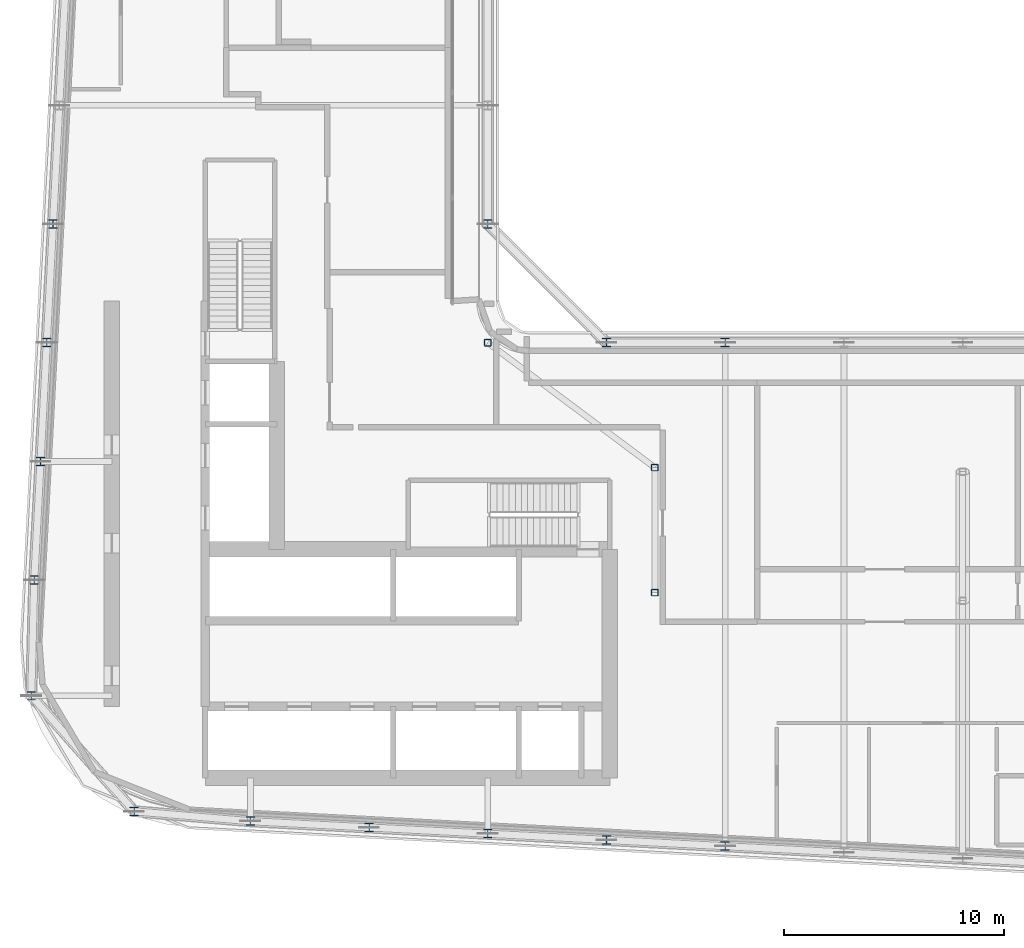
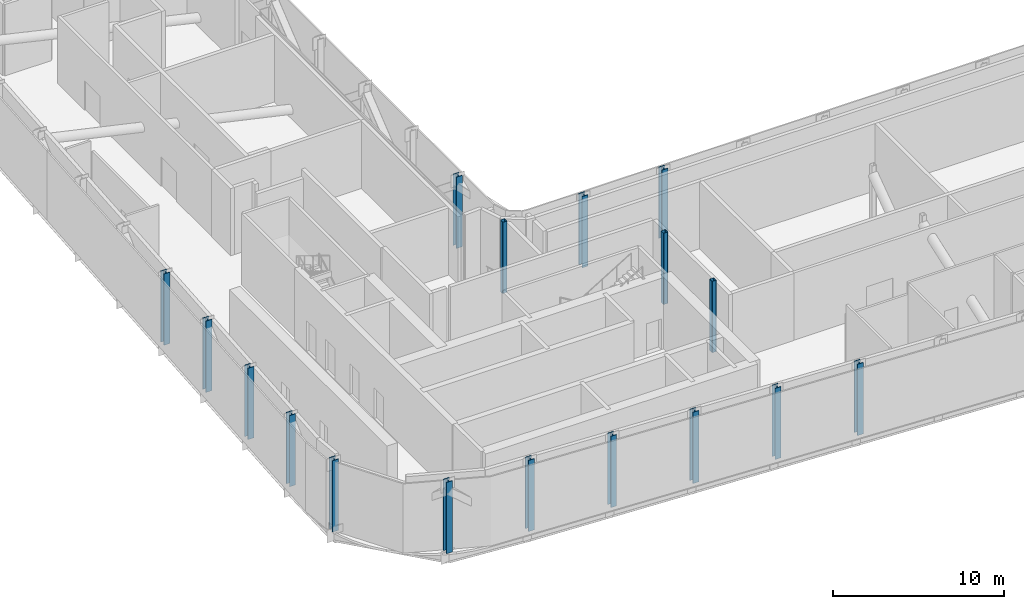
# One storey, part 1 of 23: 17 columns.
"""IFC4 building model written with IfcOpenShell, lengths in metres."""

import ifcopenshell
import ifcopenshell.guid

model = None  # the IFC model being written
_history = None  # IfcOwnerHistory: only IFC2X3 demands one
_inside = {}  # id of a spatial element -> (the spatial element, [elements in it])
_under = {}  # id of a project, library or spatial element -> (it, [spatial elements below it])
_declared = {}  # id of a project -> (the project, [libraries it declares])
_typed = {}  # id of a type object -> (the type object, [elements of that type])
_made_of = {}  # id of a material, layer set ... -> (it, [elements and type objects made of it])


def new_model(schema):
    """Start an empty IFC model of exactly this schema.

    Asked for "IFC4X3", IfcOpenShell would pick the latest addendum, in which some entities
    have other attributes; the version numbers below select the first issue.
    IFC2X3 requires an IfcOwnerHistory on every rooted entity: one is made here for all.
    """
    global model, _history
    if schema == "IFC4X3":
        model = ifcopenshell.file(schema_version=(4, 3, 0, 0))
    else:
        model = ifcopenshell.file(schema=schema)
    _inside.clear()
    _under.clear()
    _declared.clear()
    _typed.clear()
    _made_of.clear()
    _history = None
    if model.schema == "IFC2X3":
        org = make("IfcOrganization", Name="unknown")
        user = make(
            "IfcPersonAndOrganization",
            ThePerson=make("IfcPerson", FamilyName="unknown"),
            TheOrganization=org,
        )
        app = make(
            "IfcApplication",
            ApplicationDeveloper=org,
            Version="unknown",
            ApplicationFullName="unknown",
            ApplicationIdentifier="unknown",
        )
        _history = make(
            "IfcOwnerHistory",
            OwningUser=user,
            OwningApplication=app,
            ChangeAction="ADDED",
            CreationDate=0,
        )
    return model


def make(cls, **values):
    """One entity of the class cls with the attributes given. An attribute that is None is left unset."""
    return model.create_entity(
        cls, **{name: value for name, value in values.items() if value is not None}
    )


def rooted(cls, **values):
    """An entity with a GlobalId (a new one), such as an element, a storey or a relation."""
    return make(cls, GlobalId=ifcopenshell.guid.new(), OwnerHistory=_history, **values)


def si_unit(unit_type, name, prefix=None):
    """IfcSIUnit, for example si_unit("LENGTHUNIT", "METRE", prefix="MILLI")."""
    return make("IfcSIUnit", UnitType=unit_type, Prefix=prefix, Name=name)


def assignment(units):
    """IfcUnitAssignment: the units of a project."""
    return None if units is None else make("IfcUnitAssignment", Units=units)


def point(xyz):
    """IfcCartesianPoint."""
    return None if xyz is None else make("IfcCartesianPoint", Coordinates=xyz)


def direction(xyz):
    """IfcDirection."""
    return None if xyz is None else make("IfcDirection", DirectionRatios=xyz)


def frame(location, z_axis=None, x_axis=None):
    """IfcAxis2Placement3D, a coordinate frame: its origin and axes. An axis left out is left unset."""
    return make(
        "IfcAxis2Placement3D",
        Location=point(location),
        Axis=direction(z_axis),
        RefDirection=direction(x_axis),
    )


def frame_2d(location, x_axis=None):
    """IfcAxis2Placement2D, a coordinate frame in the plane: its origin and x axis."""
    return make(
        "IfcAxis2Placement2D", Location=point(location), RefDirection=direction(x_axis)
    )


def origin():
    """The frame at (0, 0, 0) with its axes left unset."""
    return frame((0.0, 0.0, 0.0))


def origin_2d():
    """The frame at (0, 0) in the plane with its x axis left unset."""
    return frame_2d((0.0, 0.0))


def place(relative_to, where):
    """IfcLocalPlacement: puts the frame where relative to a parent placement (None: the world)."""
    return make(
        "IfcLocalPlacement", PlacementRelTo=relative_to, RelativePlacement=where
    )


def context(
    kind, dimensions, precision=None, world=None, true_north=None, identifier=None
):
    """IfcGeometricRepresentationContext, for example the 3D "Model" context."""
    return make(
        "IfcGeometricRepresentationContext",
        ContextIdentifier=identifier,
        ContextType=kind,
        CoordinateSpaceDimension=dimensions,
        Precision=precision,
        WorldCoordinateSystem=world,
        TrueNorth=true_north,
    )


def subcontext(parent, identifier, kind, view, scale=None):
    """IfcGeometricRepresentationSubContext, for example "Body" below "Model"."""
    return make(
        "IfcGeometricRepresentationSubContext",
        ContextIdentifier=identifier,
        ContextType=kind,
        ParentContext=parent,
        TargetScale=scale,
        TargetView=view,
    )


def project(units=None, contexts=None):
    """IfcProject with its units and contexts."""
    return rooted(
        "IfcProject",
        Name="project",
        RepresentationContexts=contexts,
        UnitsInContext=assignment(units),
    )


def spatial(cls, under=None, at=None, **own):
    """A site, building, storey or space (cls), placed at a placement, below another one or the project."""
    s = rooted(cls, ObjectPlacement=at, **own)
    if under is not None:
        _under.setdefault(under.id(), (under, []))[1].append(s)
    return s


def profile(cls, at=None, kind="AREA", **sizes):
    """A parametric profile (cls). Its sizes go by their IFC names, for example OverallWidth=200.0."""
    return make(cls, ProfileType=kind, Position=at, **sizes)


def hollow_rectangle(**sizes):
    """IfcRectangleHollowProfileDef."""
    return profile("IfcRectangleHollowProfileDef", **sizes)


def i_section(**sizes):
    """IfcIShapeProfileDef."""
    return profile("IfcIShapeProfileDef", **sizes)


def extrude(swept, where, along, depth):
    """IfcExtrudedAreaSolid: the profile swept, set in the frame where, extruded along a direction by depth."""
    return make(
        "IfcExtrudedAreaSolid",
        SweptArea=swept,
        Position=where,
        ExtrudedDirection=direction(along),
        Depth=depth,
    )


def shape(context_of_items, identifier, shape_type, items):
    """IfcShapeRepresentation: the items that make up one representation, for example the "Body"."""
    return make(
        "IfcShapeRepresentation",
        ContextOfItems=context_of_items,
        RepresentationIdentifier=identifier,
        RepresentationType=shape_type,
        Items=items,
    )


def material(Name=None, Category=None):
    """IfcMaterial."""
    return make("IfcMaterial", Name=Name, Category=Category)


def material_profile(
    of_material, cross_section, Name=None, Category=None, Priority=None
):
    """IfcMaterialProfile: a cross section and its material."""
    return make(
        "IfcMaterialProfile",
        Name=Name,
        Material=of_material,
        Profile=cross_section,
        Priority=Priority,
        Category=Category,
    )


def profile_set(profiles, Name=None, composite=None):
    """IfcMaterialProfileSet."""
    return make(
        "IfcMaterialProfileSet",
        Name=Name,
        MaterialProfiles=profiles,
        CompositeProfile=composite,
    )


def made_of(thing, what):
    """Note that an element or type object is made of a material, layer set ...; save() writes the relation."""
    if what is not None:
        _made_of.setdefault(what.id(), (what, []))[1].append(thing)
    return thing


def type_object(cls, material=None, **own):
    """A type object (cls), such as IfcWallType, which elements share."""
    return made_of(rooted(cls, **own), material)


def element(
    cls,
    number,
    at=None,
    inside=None,
    cuts=None,
    type_object=None,
    material=None,
    context=None,
    identifier="Body",
    shape_type=None,
    held_by="IfcProductDefinitionShape",
    body=None,
    shapes=None,
    **own,
):
    """One element of the class cls, such as IfcWall. Its Tag is "e" and its number.

    at: its placement. inside: the storey or other place that contains it. cuts: it is an
    opening in that element (IfcRelVoidsElement). A single representation is given by context,
    identifier, shape_type and body (its items); several are given by shapes. held_by: the class
    of the entity that holds the representations. save() writes the other relations.
    """
    e = rooted(cls, Tag="e%d" % number, ObjectPlacement=at, **own)
    if body is not None:
        shapes = [shape(context, identifier, shape_type, body)]
    if shapes is not None:
        e.Representation = make(held_by, Representations=shapes)
    if inside is not None:
        _inside.setdefault(inside.id(), (inside, []))[1].append(e)
    if cuts is not None:
        rooted(
            "IfcRelVoidsElement", RelatingBuildingElement=cuts, RelatedOpeningElement=e
        )
    if type_object is not None:
        _typed.setdefault(type_object.id(), (type_object, []))[1].append(e)
    return made_of(e, material)


def aggregate(whole, parts):
    """IfcRelAggregates: a whole, such as a stair, and the parts it consists of."""
    return rooted("IfcRelAggregates", RelatingObject=whole, RelatedObjects=parts)


def save(model, path):
    """Write the relations noted so far, then the file.

    IfcRelAggregates (storeys below a building ...), IfcRelContainedInSpatialStructure (elements
    in a storey), IfcRelDefinesByType, IfcRelAssociatesMaterial and IfcRelDeclares: one each for
    every whole, place, type object, material and project.
    """
    for whole, parts in _under.values():
        aggregate(whole, parts)
    for where, things in _inside.values():
        rooted(
            "IfcRelContainedInSpatialStructure",
            RelatedElements=things,
            RelatingStructure=where,
        )
    for kind, things in _typed.values():
        rooted("IfcRelDefinesByType", RelatedObjects=things, RelatingType=kind)
    for what, things in _made_of.values():
        rooted("IfcRelAssociatesMaterial", RelatedObjects=things, RelatingMaterial=what)
    for by, libraries in _declared.values():
        rooted("IfcRelDeclares", RelatingContext=by, RelatedDefinitions=libraries)
    model.write(path)


model = new_model("IFC4")

# Units and contexts
model_context = context("Model", 3, precision=1e-05, world=origin(), true_north=direction((0.0, 1.0)))
body_context = subcontext(model_context, "Body", "Model", "MODEL_VIEW")
ifc_project = project(units=[si_unit("LENGTHUNIT", "METRE"), si_unit("AREAUNIT", "SQUARE_METRE"), si_unit("VOLUMEUNIT", "CUBIC_METRE"), si_unit("PLANEANGLEUNIT", "RADIAN"), si_unit("MASSUNIT", "GRAM", prefix="KILO")], contexts=[model_context])

# Site, building, storey
site_placement = place(None, origin())
site = spatial("IfcSite", under=ifc_project, at=site_placement, CompositionType="ELEMENT")
building_placement = place(site_placement, origin())
building = spatial("IfcBuilding", under=site, at=building_placement, Name="Kheshtan School and Residences Tower", CompositionType="ELEMENT")
storey_placement = place(building_placement, frame((0.0, 0.0, 211.10009765625)))
storey = spatial("IfcBuildingStorey", under=building, at=storey_placement, Name="L49", CompositionType="ELEMENT", Elevation=211.10009765625)

# Columns
ifc_material_1 = material(Name="Steel ASTM A992 Grade 50", Category="steel")
ifc_material_profile_1 = material_profile(ifc_material_1, i_section(OverallWidth=0.404052734375, OverallDepth=0.406982421875, WebThickness=0.027099609375, FlangeThickness=0.043701171875, FilletRadius=0.01220703125, at=origin_2d()), Name="W360x347")
ifc_profile_set_1 = profile_set([ifc_material_profile_1], Name="Steel ASTM A992 Grade 50")
column_type_1 = type_object("IfcColumnType", Name="Column C4 W360x347 ASTM A992 Grade 50", PredefinedType="COLUMN", material=ifc_profile_set_1)
for number, where, z_axis, x_axis, name in (
    (1, (58.39990234375, 22.695068359375, 0.0), (0.0, 0.0, 1.0), (1.0, 0.0, 0.0), "Column C018"),
    (2, (53.0, 22.97998046875, 0.0), (0.0, 0.0, 1.0), (1.0, 0.0, 0.0), "Column C019"),
    (3, (47.60009765625, 23.263916015625, 0.0), (0.0, 0.0, 1.0), (1.0, 0.0, 0.0), "Column C020"),
    (4, (42.199951171875, 23.548095703125, 0.0), (0.0, 0.0, 1.0), (1.0, 0.0, 0.0), "Column C021"),
    (5, (36.800048828125, 23.83203125, 0.0), (0.0, 0.0, 1.0), (1.0, 0.0, 0.0), "Column C022"),
    (6, (31.510009765625, 24.282958984375, 0.0), (0.0, 0.0, 1.0), (1.0, 0.0, 0.0), "Column C030"),
    (7, (26.830078125, 29.5380859375, 0.0), (0.0, 0.0, 1.0), (1.0, 0.0, 0.0), "Column C043"),
    (8, (26.968994140625, 34.800048828125, 0.0), (0.0, 0.0, 1.0), (1.0, 0.0, 0.0), "Column C052"),
    (9, (27.2529296875, 40.199951171875, 0.0), (0.0, 0.0, 1.0), (1.0, 0.0, 0.0), "Column C056"),
    (10, (27.537109375, 45.60009765625, 0.0), (0.0, 0.0, 1.0), (1.0, 0.0, 0.0), "Column C059"),
    (11, (53.0, 45.60009765625, 0.0), (0.0, 0.0, 1.0), (1.0, 0.0, 0.0), "Column C061"),
    (12, (58.39990234375, 45.60009765625, 0.0), (0.0, 0.0, 1.0), (1.0, 0.0, 0.0), "Column C062"),
    (13, (27.822021484375, 51.0, 0.0), (0.0, 0.0, 1.0), (1.0, 0.0, 0.0), "Column C078"),
    (14, (47.60009765625, 51.0, 0.0), (0.0, 0.0, 1.0), (1.0, 0.0, 0.0), "Column C079"),
):
    element("IfcColumn", number, at=place(storey_placement, frame(where, z_axis=z_axis, x_axis=x_axis)), inside=storey, type_object=column_type_1, Name=name, PredefinedType="COLUMN", context=body_context, shape_type="SweptSolid", body=[
        extrude(i_section(OverallWidth=0.404052734375, OverallDepth=0.406982421875, WebThickness=0.027099609375, FlangeThickness=0.043701171875, FilletRadius=0.01220703125, at=origin_2d()), origin(), (0.0, 0.0, 1.0), 5.099853515625),
    ])
ifc_material_2 = material(Name="Steel ASTM A500 Grade C", Category="steel")
ifc_material_profile_2 = material_profile(ifc_material_2, hollow_rectangle(XDim=0.304931640625, YDim=0.304931640625, WallThickness=0.015869140625, InnerFilletRadius=0.015869140625, OuterFilletRadius=0.03173828125, at=origin_2d()), Name="HSS 305x305x15.9")
ifc_profile_set_2 = profile_set([ifc_material_profile_2], Name="Steel ASTM A500 Grade C")
column_type_2 = type_object("IfcColumnType", Name="Column IC2 HSS 305x305x15.9 ASTM A500 Grade C", PredefinedType="COLUMN", material=ifc_profile_set_2)
for number, where, z_axis, x_axis, name in (
    (15, (55.199951171875, 34.23193359375, 0.0), (0.0, 0.0, 1.0), (1.0, 0.0, 0.0), "Column C051"),
    (16, (55.199951171875, 39.916015625, 0.0), (0.0, 0.0, 1.0), (1.0, 0.0, 0.0), "Column C055"),
    (17, (47.60009765625, 45.60009765625, 0.0), (0.0, 0.0, 1.0), (1.0, 0.0, 0.0), "Column C060"),
):
    element("IfcColumn", number, at=place(storey_placement, frame(where, z_axis=z_axis, x_axis=x_axis)), inside=storey, type_object=column_type_2, Name=name, PredefinedType="COLUMN", context=body_context, shape_type="SweptSolid", body=[
        extrude(hollow_rectangle(XDim=0.304931640625, YDim=0.304931640625, WallThickness=0.015869140625, InnerFilletRadius=0.015869140625, OuterFilletRadius=0.03173828125, at=origin_2d()), origin(), (0.0, 0.0, 1.0), 5.099853515625),
    ])

save(model, "model.ifc")
